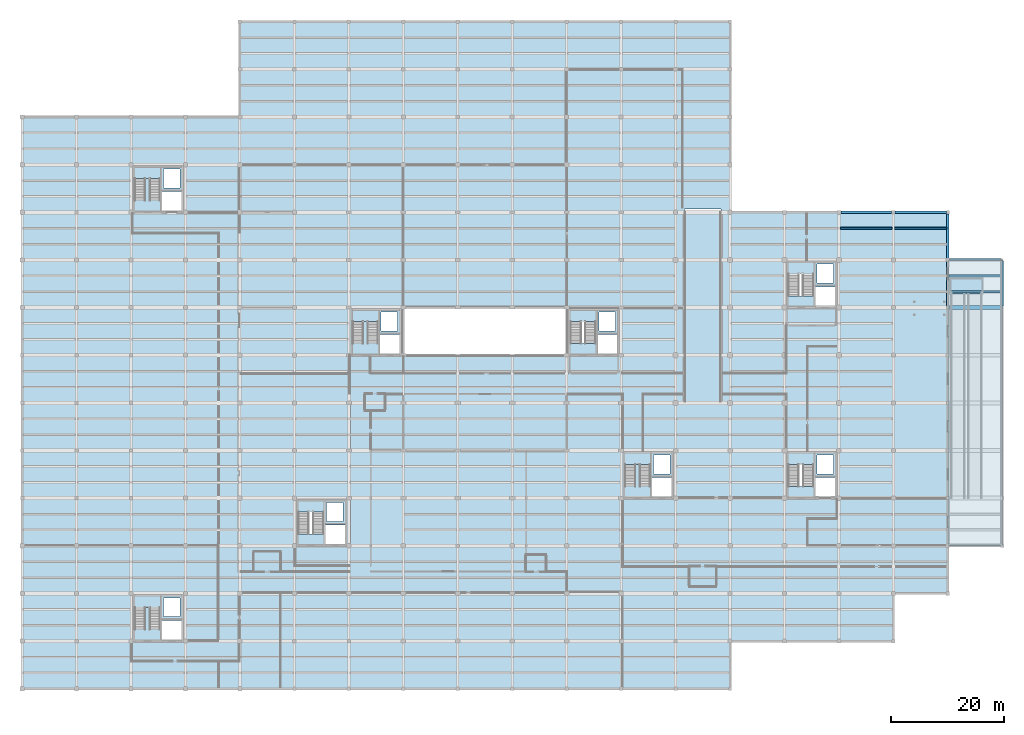
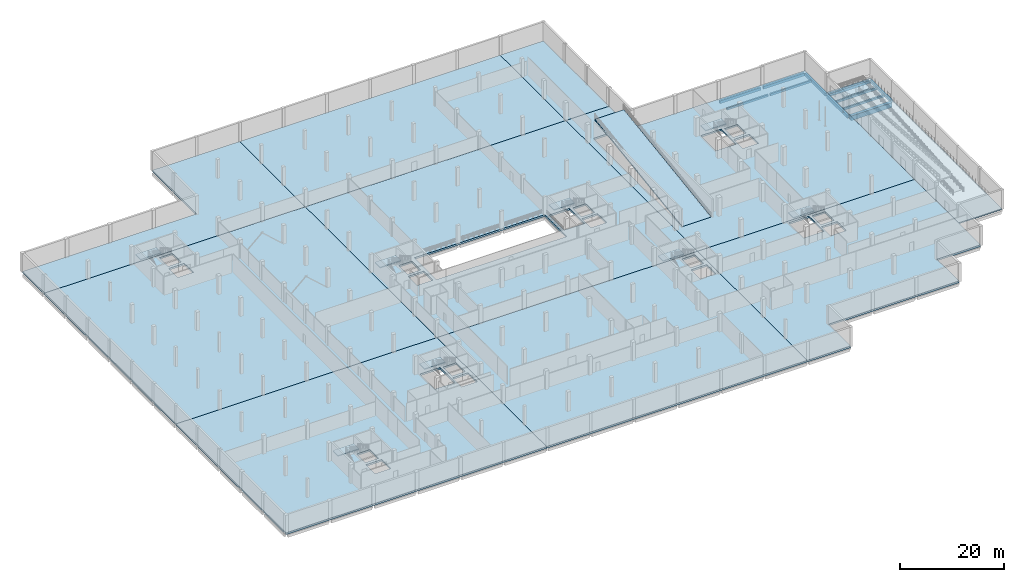
# One storey, part 13 of 30: 20 slabs, 11 beams, 9 elements without a shape of their own.
"""IFC4 building model written with IfcOpenShell, lengths in metres."""

from ifc_helpers import new_model, si_unit, direction, frame, origin, origin_2d, place, context, subcontext, project, spatial, polyline, rectangle, outline, extrude, material, layer, layer_set, material_profile, profile_set, type_object, element, aggregate, save


model = new_model("IFC4")

# Units and contexts
model_context = context("Model", 3, precision=1e-05, world=origin(), true_north=direction((0.0, 1.0)))
body_context = subcontext(model_context, "Body", "Model", "MODEL_VIEW")
ifc_project = project(units=[si_unit("LENGTHUNIT", "METRE"), si_unit("AREAUNIT", "SQUARE_METRE"), si_unit("VOLUMEUNIT", "CUBIC_METRE"), si_unit("PLANEANGLEUNIT", "RADIAN"), si_unit("MASSUNIT", "GRAM", prefix="KILO")], contexts=[model_context])

# Site, building, storey
site_placement = place(None, origin())
site = spatial("IfcSite", under=ifc_project, at=site_placement, CompositionType="ELEMENT")
building_placement = place(site_placement, origin())
building = spatial("IfcBuilding", under=site, at=building_placement, Name="Lornevale Opera House", CompositionType="ELEMENT")
storey_placement = place(building_placement, frame((0.0, 0.0, -4.800048828125)))
storey = spatial("IfcBuildingStorey", under=building, at=storey_placement, Name="B1", CompositionType="ELEMENT", Elevation=-4.800048828125)

# Beams
ifc_material_1 = material(Name="Concrete 35 MPa (CSA A23.1 N)", Category="concrete")
ifc_material_profile_1 = material_profile(ifc_material_1, rectangle(XDim=0.449951171875, YDim=0.75, at=origin_2d()), Name="RC450x750")
ifc_profile_set_1 = profile_set([ifc_material_profile_1], Name="Concrete 35 MPa (CSA A23.1 N)")
beam_type_1 = type_object("IfcBeamType", Name="Concrete Floor Beam 450x750", PredefinedType="USERDEFINED", material=ifc_profile_set_1)
beam_1_placement = place(storey_placement, frame((163.199951171875, 67.47509765625, -0.794921875), z_axis=(0.0, 1.0, 0.0), x_axis=(-1.0, 0.0, 0.0)))
element("IfcBeam", 1, at=beam_1_placement, inside=storey, type_object=beam_type_1, Name="Concrete Floor Beam 450x750 0453", ObjectType="GIRDER", PredefinedType="USERDEFINED", context=body_context, shape_type="SweptSolid", body=[
    extrude(rectangle(XDim=0.449951171875, YDim=0.75, at=origin_2d()), origin(), (0.0, 0.0, 1.0), 7.849853515625),
])
ifc_material_2 = material(Name="Concrete 40 MPa (CSA A23.1 C-1)", Category="concrete")
ifc_material_profile_2 = material_profile(ifc_material_2, rectangle(XDim=0.699951171875, YDim=1.10009765625, at=origin_2d()), Name="RC700x1100")
ifc_profile_set_2 = profile_set([ifc_material_profile_2], Name="Concrete 40 MPa (CSA A23.1 C-1)")
beam_type_2 = type_object("IfcBeamType", Name="Concrete Primary Girder 700x1100", PredefinedType="USERDEFINED", material=ifc_profile_set_2)
beam_2_placement = place(storey_placement, frame((163.47509765625, 67.199951171875, -0.969970703125), z_axis=(1.0, 0.0, 0.0), x_axis=(0.0, 1.0, 0.0)))
element("IfcBeam", 2, at=beam_2_placement, inside=storey, type_object=beam_type_2, Name="Concrete Primary Girder 700x1100 0154", ObjectType="GIRDER", PredefinedType="USERDEFINED", context=body_context, shape_type="SweptSolid", body=[
    extrude(rectangle(XDim=0.699951171875, YDim=1.10009765625, at=origin_2d()), origin(), (0.0, 0.0, 1.0), 9.074951171875),
])
ifc_material_profile_3 = material_profile(ifc_material_1, rectangle(XDim=0.35009765625, YDim=0.5, at=origin_2d()), Name="RC350x500")
ifc_profile_set_3 = profile_set([ifc_material_profile_3], Name="Concrete 35 MPa (CSA A23.1 N)")
beam_type_3 = type_object("IfcBeamType", Name="Concrete Secondary Rib 350x500", PredefinedType="JOIST", material=ifc_profile_set_3)
beam_3_placement = place(storey_placement, frame((144.25, 81.199951171875, -0.669921875), z_axis=(1.0, 0.0, 0.0), x_axis=(0.0, 1.0, 0.0)))
element("IfcBeam", 3, at=beam_3_placement, inside=storey, type_object=beam_type_3, Name="Concrete Secondary Rib 350x500 0830", PredefinedType="JOIST", context=body_context, shape_type="SweptSolid", body=[
    extrude(rectangle(XDim=0.35009765625, YDim=0.5, at=origin_2d()), origin(), (0.0, 0.0, 1.0), 9.125),
])
beam_4_placement = place(storey_placement, frame((153.824951171875, 81.199951171875, -0.669921875), z_axis=(1.0, 0.0, 0.0), x_axis=(0.0, 1.0, 0.0)))
element("IfcBeam", 4, at=beam_4_placement, inside=storey, type_object=beam_type_3, Name="Concrete Secondary Rib 350x500 0838", PredefinedType="JOIST", context=body_context, shape_type="SweptSolid", body=[
    extrude(rectangle(XDim=0.35009765625, YDim=0.5, at=origin_2d()), origin(), (0.0, 0.0, 1.0), 9.150146484375),
])
for number, where, z_axis, x_axis, name in (
    (5, (163.425048828125, 70.0, -0.669921875), (1.0, 0.0, 0.0), (0.0, 1.0, 0.0), "Concrete Secondary Rib 350x500 0841"),
    (6, (163.425048828125, 72.800048828125, -0.669921875), (1.0, 0.0, 0.0), (0.0, 1.0, 0.0), "Concrete Secondary Rib 350x500 0842"),
):
    element("IfcBeam", number, at=place(storey_placement, frame(where, z_axis=z_axis, x_axis=x_axis)), inside=storey, type_object=beam_type_3, Name=name, PredefinedType="JOIST", context=body_context, shape_type="SweptSolid", body=[
        extrude(rectangle(XDim=0.35009765625, YDim=0.5, at=origin_2d()), origin(), (0.0, 0.0, 1.0), 9.14990234375),
    ])
ifc_material_profile_4 = material_profile(ifc_material_1, rectangle(XDim=0.449951171875, YDim=0.64990234375, at=origin_2d()), Name="RC450x650")
ifc_profile_set_4 = profile_set([ifc_material_profile_4], Name="Concrete 35 MPa (CSA A23.1 N)")
beam_type_4 = type_object("IfcBeamType", Name="Concrete Spandrel Beam 450x650", PredefinedType="SPANDREL", material=ifc_profile_set_4)
beam_5_placement = place(storey_placement, frame((163.47509765625, 75.60009765625, -0.744873046875), z_axis=(1.0, 0.0, 0.0), x_axis=(0.0, 1.0, 0.0)))
element("IfcBeam", 7, at=beam_5_placement, inside=storey, type_object=beam_type_4, Name="Concrete Spandrel Beam 450x650 0172", PredefinedType="SPANDREL", context=body_context, shape_type="SweptSolid", body=[
    extrude(rectangle(XDim=0.449951171875, YDim=0.64990234375, at=origin_2d()), origin(), (0.0, 0.0, 1.0), 9.099853515625),
])
beam_6_placement = place(storey_placement, frame((144.324951171875, 84.0, -0.744873046875), z_axis=(1.0, 0.0, 0.0), x_axis=(0.0, 1.0, 0.0)))
element("IfcBeam", 8, at=beam_6_placement, inside=storey, type_object=beam_type_4, Name="Concrete Spandrel Beam 450x650 0188", PredefinedType="SPANDREL", context=body_context, shape_type="SweptSolid", body=[
    extrude(rectangle(XDim=0.449951171875, YDim=0.64990234375, at=origin_2d()), origin(), (0.0, 0.0, 1.0), 8.97509765625),
])
beam_7_placement = place(storey_placement, frame((153.89990234375, 84.0, -0.744873046875), z_axis=(1.0, 0.0, 0.0), x_axis=(0.0, 1.0, 0.0)))
element("IfcBeam", 9, at=beam_7_placement, inside=storey, type_object=beam_type_4, Name="Concrete Spandrel Beam 450x650 0189", PredefinedType="SPANDREL", context=body_context, shape_type="SweptSolid", body=[
    extrude(rectangle(XDim=0.449951171875, YDim=0.64990234375, at=origin_2d()), origin(), (0.0, 0.0, 1.0), 9.025146484375),
])
beam_8_placement = place(storey_placement, frame((163.199951171875, 75.875, -0.744873046875), z_axis=(0.0, 1.0, 0.0), x_axis=(-1.0, 0.0, 0.0)))
element("IfcBeam", 10, at=beam_8_placement, inside=storey, type_object=beam_type_4, Name="Concrete Spandrel Beam 450x650 0454", PredefinedType="SPANDREL", context=body_context, shape_type="SweptSolid", body=[
    extrude(rectangle(XDim=0.449951171875, YDim=0.64990234375, at=origin_2d()), origin(), (0.0, 0.0, 1.0), 7.85009765625),
])
beam_9_placement = place(storey_placement, frame((172.800048828125, 67.449951171875, -0.574951171875), z_axis=(0.0, 1.0, 0.0), x_axis=(-1.0, 0.0, 0.0)))
element("IfcBeam", 11, at=beam_9_placement, inside=storey, type_object=beam_type_4, Name="Concrete Spandrel Beam 450x650 0460", PredefinedType="SPANDREL", context=body_context, shape_type="SweptSolid", body=[
    extrude(rectangle(XDim=0.449951171875, YDim=0.64990234375, at=origin_2d()), origin(), (0.0, 0.0, 1.0), 7.925048828125),
])

# Slabs
ifc_layer_1 = layer(ifc_material_2, 0.25)
ifc_layer_set_1 = layer_set([ifc_layer_1], Name="Concrete 40 MPa (CSA A23.1 C-1)")
slab_type_1 = type_object("IfcSlabType", Name="Escarpment Terrace Deck Slab 250", PredefinedType="USERDEFINED", material=ifc_layer_set_1)
slab_1_placement = place(storey_placement, frame((0.0, 0.0, -0.25)))
element("IfcSlab", 12, at=slab_1_placement, inside=storey, type_object=slab_type_1, Name="Escarpment Terrace Deck Slab 250 SL-019", ObjectType="TERRACE", PredefinedType="USERDEFINED", context=body_context, shape_type="SweptSolid", body=[
    extrude(outline(polyline([(163.199951171875, 25.199951171875), (163.199951171875, 33.60009765625), (163.199951171875, 42.0), (163.199951171875, 50.39990234375), (163.199951171875, 58.800048828125), (163.199951171875, 67.199951171875), (163.199951171875, 75.60009765625), (172.800048828125, 75.60009765625), (172.800048828125, 67.199951171875), (172.800048828125, 58.800048828125), (172.800048828125, 50.39990234375), (172.800048828125, 42.0), (172.800048828125, 33.60009765625), (172.800048828125, 25.199951171875), (163.199951171875, 25.199951171875)])), origin(), (0.0, 0.0, 1.0), 0.25),
])
ifc_layer_2 = layer(ifc_material_2, 0.419921875)
ifc_layer_set_2 = layer_set([ifc_layer_2], Name="Concrete 40 MPa (CSA A23.1 C-1)")
slab_type_2 = type_object("IfcSlabType", Name="Lower Concourse Structural Slab 420", PredefinedType="FLOOR", material=ifc_layer_set_2)
slab_2_placement = place(storey_placement, frame((0.0, 0.0, -0.419921875)))
element("IfcSlab", 13, at=slab_2_placement, inside=storey, type_object=slab_type_2, Name="Lower Concourse Structural Slab 420 SL-010", PredefinedType="FLOOR", context=body_context, shape_type="SweptSolid", body=[
    extrude(outline(polyline([(0.0, 25.199951171875), (0.0, 33.60009765625), (0.0, 42.0), (9.60009765625, 42.0), (19.199951171875, 42.0), (28.800048828125, 42.0), (38.39990234375, 42.0), (48.0, 42.0), (57.60009765625, 42.0), (57.60009765625, 33.60009765625), (57.60009765625, 25.199951171875), (57.60009765625, 16.800048828125), (57.60009765625, 8.39990234375), (57.60009765625, 0.0), (48.0, 0.0), (38.39990234375, 0.0), (28.800048828125, 0.0), (19.199951171875, 0.0), (9.60009765625, 0.0), (0.0, 0.0), (0.0, 8.39990234375), (0.0, 16.800048828125), (0.0, 25.199951171875)]), holes=[polyline([(53.4599609375, 25.3798828125), (56.919921875, 25.3798828125), (56.919921875, 28.840087890625), (53.4599609375, 28.840087890625), (53.4599609375, 25.3798828125)]), polyline([(48.659912109375, 27.280029296875), (53.139892578125, 27.280029296875), (53.139892578125, 33.080078125), (48.659912109375, 33.080078125), (48.659912109375, 27.280029296875)]), polyline([(24.659912109375, 8.580078125), (28.1201171875, 8.580078125), (28.1201171875, 12.0400390625), (24.659912109375, 12.0400390625), (24.659912109375, 8.580078125)]), polyline([(53.699951171875, 29.5), (56.60009765625, 29.5), (56.60009765625, 32.840087890625), (53.699951171875, 32.840087890625), (53.699951171875, 29.5)]), polyline([(24.89990234375, 12.699951171875), (27.800048828125, 12.699951171875), (27.800048828125, 16.0400390625), (24.89990234375, 16.0400390625), (24.89990234375, 12.699951171875)])]), origin(), (0.0, 0.0, 1.0), 0.419921875),
])
slab_3_placement = place(storey_placement, frame((0.0, 0.0, -0.419921875)))
element("IfcSlab", 14, at=slab_3_placement, inside=storey, type_object=slab_type_2, Name="Lower Concourse Structural Slab 420 SL-011", PredefinedType="FLOOR", context=body_context, shape_type="SweptSolid", body=[
    extrude(outline(polyline([(57.60009765625, 25.199951171875), (57.60009765625, 33.60009765625), (57.60009765625, 42.0), (67.199951171875, 42.0), (76.800048828125, 42.0), (86.39990234375, 42.0), (96.0, 42.0), (105.60009765625, 42.0), (115.199951171875, 42.0), (115.199951171875, 33.60009765625), (115.199951171875, 25.199951171875), (115.199951171875, 16.800048828125), (115.199951171875, 8.39990234375), (115.199951171875, 0.0), (105.60009765625, 0.0), (96.0, 0.0), (86.39990234375, 0.0), (76.800048828125, 0.0), (67.199951171875, 0.0), (57.60009765625, 0.0), (57.60009765625, 8.39990234375), (57.60009765625, 16.800048828125), (57.60009765625, 25.199951171875)]), holes=[polyline([(111.06005859375, 33.780029296875), (114.52001953125, 33.780029296875), (114.52001953125, 37.239990234375), (111.06005859375, 37.239990234375), (111.06005859375, 33.780029296875)]), polyline([(111.300048828125, 37.89990234375), (114.199951171875, 37.89990234375), (114.199951171875, 41.239990234375), (111.300048828125, 41.239990234375), (111.300048828125, 37.89990234375)])]), origin(), (0.0, 0.0, 1.0), 0.419921875),
])
slab_4_placement = place(storey_placement, frame((0.0, 0.0, -0.419921875)))
element("IfcSlab", 15, at=slab_4_placement, inside=storey, type_object=slab_type_2, Name="Lower Concourse Structural Slab 420 SL-012", PredefinedType="FLOOR", context=body_context, shape_type="SweptSolid", body=[
    extrude(outline(polyline([(115.199951171875, 16.800048828125), (115.199951171875, 25.199951171875), (115.199951171875, 33.60009765625), (115.199951171875, 42.0), (124.800048828125, 42.0), (134.39990234375, 42.0), (144.0, 42.0), (153.60009765625, 42.0), (163.199951171875, 42.0), (163.199951171875, 33.60009765625), (163.199951171875, 25.199951171875), (163.199951171875, 16.800048828125), (153.60009765625, 16.800048828125), (153.60009765625, 8.39990234375), (144.0, 8.39990234375), (134.39990234375, 8.39990234375), (124.800048828125, 8.39990234375), (124.800048828125, 0.0), (115.199951171875, 0.0), (115.199951171875, 8.39990234375), (115.199951171875, 16.800048828125)]), holes=[polyline([(139.860107421875, 33.780029296875), (143.320068359375, 33.780029296875), (143.320068359375, 37.239990234375), (139.860107421875, 37.239990234375), (139.860107421875, 33.780029296875)]), polyline([(135.06005859375, 35.679931640625), (139.5400390625, 35.679931640625), (139.5400390625, 41.47998046875), (135.06005859375, 41.47998046875), (135.06005859375, 35.679931640625)]), polyline([(140.10009765625, 37.89990234375), (143.0, 37.89990234375), (143.0, 41.239990234375), (140.10009765625, 41.239990234375), (140.10009765625, 37.89990234375)])]), origin(), (0.0, 0.0, 1.0), 0.419921875),
])
slab_5_placement = place(storey_placement, frame((0.0, 0.0, -0.419921875)))
element("IfcSlab", 16, at=slab_5_placement, inside=storey, type_object=slab_type_2, Name="Lower Concourse Structural Slab 420 SL-013", PredefinedType="FLOOR", context=body_context, shape_type="SweptSolid", body=[
    extrude(outline(polyline([(9.60009765625, 42.0), (0.0, 42.0), (0.0, 50.39990234375), (0.0, 58.800048828125), (0.0, 67.199951171875), (0.0, 75.60009765625), (0.0, 84.0), (0.0, 92.39990234375), (9.60009765625, 92.39990234375), (19.199951171875, 92.39990234375), (28.800048828125, 92.39990234375), (38.39990234375, 92.39990234375), (48.0, 92.39990234375), (57.60009765625, 92.39990234375), (57.60009765625, 84.0), (57.60009765625, 75.60009765625), (57.60009765625, 67.199951171875), (57.60009765625, 58.800048828125), (57.60009765625, 50.39990234375), (57.60009765625, 42.0), (48.0, 42.0), (38.39990234375, 42.0), (28.800048828125, 42.0), (19.199951171875, 42.0), (9.60009765625, 42.0)]), holes=[polyline([(24.659912109375, 84.179931640625), (28.1201171875, 84.179931640625), (28.1201171875, 87.639892578125), (24.659912109375, 87.639892578125), (24.659912109375, 84.179931640625)]), polyline([(24.89990234375, 88.300048828125), (27.800048828125, 88.300048828125), (27.800048828125, 91.639892578125), (24.89990234375, 91.639892578125), (24.89990234375, 88.300048828125)])]), origin(), (0.0, 0.0, 1.0), 0.419921875),
])
slab_6_placement = place(storey_placement, frame((0.0, 0.0, -0.419921875)))
element("IfcSlab", 17, at=slab_6_placement, inside=storey, type_object=slab_type_2, Name="Lower Concourse Structural Slab 420 SL-014", PredefinedType="FLOOR", context=body_context, shape_type="SweptSolid", body=[
    extrude(outline(polyline([(67.199951171875, 42.0), (57.60009765625, 42.0), (57.60009765625, 50.39990234375), (57.60009765625, 58.800048828125), (57.60009765625, 67.199951171875), (57.60009765625, 75.60009765625), (57.60009765625, 84.0), (57.60009765625, 92.39990234375), (67.199951171875, 92.39990234375), (76.800048828125, 92.39990234375), (86.39990234375, 92.39990234375), (96.0, 92.39990234375), (105.60009765625, 92.39990234375), (115.199951171875, 92.39990234375), (115.199951171875, 84.0), (115.199951171875, 75.60009765625), (115.199951171875, 67.199951171875), (115.199951171875, 58.800048828125), (115.199951171875, 50.39990234375), (115.199951171875, 42.0), (105.60009765625, 42.0), (96.0, 42.0), (86.39990234375, 42.0), (76.800048828125, 42.0), (67.199951171875, 42.0)]), holes=[polyline([(76.800048828125, 67.199951171875), (67.199951171875, 67.199951171875), (67.199951171875, 58.800048828125), (76.800048828125, 58.800048828125), (86.39990234375, 58.800048828125), (96.0, 58.800048828125), (96.0, 67.199951171875), (86.39990234375, 67.199951171875), (76.800048828125, 67.199951171875)]), polyline([(63.06005859375, 58.97998046875), (66.52001953125, 58.97998046875), (66.52001953125, 62.43994140625), (63.06005859375, 62.43994140625), (63.06005859375, 58.97998046875)]), polyline([(101.4599609375, 58.97998046875), (104.919921875, 58.97998046875), (104.919921875, 62.43994140625), (101.4599609375, 62.43994140625), (101.4599609375, 58.97998046875)]), polyline([(96.659912109375, 60.8798828125), (101.139892578125, 60.8798828125), (101.139892578125, 66.679931640625), (96.659912109375, 66.679931640625), (96.659912109375, 60.8798828125)]), polyline([(63.300048828125, 63.10009765625), (66.199951171875, 63.10009765625), (66.199951171875, 66.43994140625), (63.300048828125, 66.43994140625), (63.300048828125, 63.10009765625)]), polyline([(101.699951171875, 63.10009765625), (104.60009765625, 63.10009765625), (104.60009765625, 66.43994140625), (101.699951171875, 66.43994140625), (101.699951171875, 63.10009765625)])]), origin(), (0.0, 0.0, 1.0), 0.419921875),
])
slab_7_placement = place(storey_placement, frame((0.0, 0.0, -0.419921875)))
element("IfcSlab", 18, at=slab_7_placement, inside=storey, type_object=slab_type_2, Name="Lower Concourse Structural Slab 420 SL-015", PredefinedType="FLOOR", context=body_context, shape_type="SweptSolid", body=[
    extrude(outline(polyline([(115.199951171875, 67.199951171875), (115.199951171875, 75.60009765625), (115.199951171875, 84.0), (115.199951171875, 92.39990234375), (124.800048828125, 92.39990234375), (124.800048828125, 84.0), (134.39990234375, 84.0), (144.0, 84.0), (153.60009765625, 84.0), (163.199951171875, 84.0), (163.199951171875, 75.60009765625), (163.199951171875, 67.199951171875), (163.199951171875, 58.800048828125), (163.199951171875, 50.39990234375), (163.199951171875, 42.0), (153.60009765625, 42.0), (144.0, 42.0), (134.39990234375, 42.0), (124.800048828125, 42.0), (115.199951171875, 42.0), (115.199951171875, 50.39990234375), (115.199951171875, 58.800048828125), (115.199951171875, 67.199951171875)]), holes=[polyline([(139.860107421875, 67.3798828125), (143.320068359375, 67.3798828125), (143.320068359375, 70.840087890625), (139.860107421875, 70.840087890625), (139.860107421875, 67.3798828125)]), polyline([(135.06005859375, 69.280029296875), (139.5400390625, 69.280029296875), (139.5400390625, 75.080078125), (135.06005859375, 75.080078125), (135.06005859375, 69.280029296875)]), polyline([(116.800048828125, 50.6201171875), (123.199951171875, 50.6201171875), (123.199951171875, 84.580078125), (116.800048828125, 84.580078125), (116.800048828125, 50.6201171875)]), polyline([(140.10009765625, 71.5), (143.0, 71.5), (143.0, 74.840087890625), (140.10009765625, 74.840087890625), (140.10009765625, 71.5)])]), origin(), (0.0, 0.0, 1.0), 0.419921875),
])
slab_8_placement = place(storey_placement, frame((0.0, 0.0, -0.419921875)))
element("IfcSlab", 19, at=slab_8_placement, inside=storey, type_object=slab_type_2, Name="Lower Concourse Structural Slab 420 SL-016", PredefinedType="FLOOR", context=body_context, shape_type="SweptSolid", body=[
    extrude(outline(polyline([(9.60009765625, 100.800048828125), (19.199951171875, 100.800048828125), (28.800048828125, 100.800048828125), (38.39990234375, 100.800048828125), (38.39990234375, 109.199951171875), (38.39990234375, 117.60009765625), (48.0, 117.60009765625), (57.60009765625, 117.60009765625), (57.60009765625, 109.199951171875), (57.60009765625, 100.800048828125), (57.60009765625, 92.39990234375), (48.0, 92.39990234375), (38.39990234375, 92.39990234375), (28.800048828125, 92.39990234375), (19.199951171875, 92.39990234375), (9.60009765625, 92.39990234375), (0.0, 92.39990234375), (0.0, 100.800048828125), (9.60009765625, 100.800048828125)])), origin(), (0.0, 0.0, 1.0), 0.419921875),
])
slab_9_placement = place(storey_placement, frame((0.0, 0.0, -0.419921875)))
element("IfcSlab", 20, at=slab_9_placement, inside=storey, type_object=slab_type_2, Name="Lower Concourse Structural Slab 420 SL-017", PredefinedType="FLOOR", context=body_context, shape_type="SweptSolid", body=[
    extrude(outline(polyline([(57.60009765625, 117.60009765625), (67.199951171875, 117.60009765625), (76.800048828125, 117.60009765625), (86.39990234375, 117.60009765625), (96.0, 117.60009765625), (105.60009765625, 117.60009765625), (115.199951171875, 117.60009765625), (115.199951171875, 109.199951171875), (115.199951171875, 100.800048828125), (115.199951171875, 92.39990234375), (105.60009765625, 92.39990234375), (96.0, 92.39990234375), (86.39990234375, 92.39990234375), (76.800048828125, 92.39990234375), (67.199951171875, 92.39990234375), (57.60009765625, 92.39990234375), (57.60009765625, 100.800048828125), (57.60009765625, 109.199951171875), (57.60009765625, 117.60009765625)])), origin(), (0.0, 0.0, 1.0), 0.419921875),
])
slab_10_placement = place(storey_placement, frame((0.0, 0.0, -0.419921875)))
element("IfcSlab", 21, at=slab_10_placement, inside=storey, type_object=slab_type_2, Name="Lower Concourse Structural Slab 420 SL-018", PredefinedType="FLOOR", context=body_context, shape_type="SweptSolid", body=[
    extrude(outline(polyline([(124.800048828125, 92.39990234375), (115.199951171875, 92.39990234375), (115.199951171875, 100.800048828125), (115.199951171875, 109.199951171875), (115.199951171875, 117.60009765625), (124.800048828125, 117.60009765625), (124.800048828125, 109.199951171875), (124.800048828125, 100.800048828125), (124.800048828125, 92.39990234375)])), origin(), (0.0, 0.0, 1.0), 0.419921875),
])

# Ramp, slab
ramp_type = type_object("IfcRampType", Name="Accessible Escarpment Promenade Ramp", PredefinedType="TWO_STRAIGHT_RUN_RAMP", material=ifc_material_2)
ramp_placement = place(storey_placement, origin())
ramp = element("IfcRamp", 22, at=ramp_placement, inside=storey, type_object=ramp_type, Name="Escarpment Promenade Lower Flight", PredefinedType="TWO_STRAIGHT_RUN_RAMP")
ifc_layer_3 = layer(ifc_material_2, 0.25)
ifc_layer_set_3 = layer_set([ifc_layer_3], Name="Concrete 40 MPa (CSA A23.1 C-1)")
slab_type_3 = type_object("IfcSlabType", Name="Promenade Mid-Landing Slab 250", PredefinedType="LANDING", material=ifc_layer_set_3)
slab_11_placement = place(storey_placement, frame((0.0, 0.0, 2.150146484375)))
slab_11 = element("IfcSlab", 23, at=slab_11_placement, type_object=slab_type_3, Name="Escarpment Promenade Mid-Landing", PredefinedType="LANDING", context=body_context, shape_type="SweptSolid", body=[
    extrude(outline(polyline([(163.60009765625, 69.60009765625), (169.39990234375, 69.60009765625), (169.39990234375, 72.39990234375), (163.60009765625, 72.39990234375), (163.60009765625, 69.60009765625)])), origin(), (0.0, 0.0, 1.0), 0.25),
])
aggregate(ramp, [slab_11])

# Stair, slab
ifc_layer_4 = layer(ifc_material_1, 4.800048828125)
ifc_layer_set_4 = layer_set([ifc_layer_4], Name="Concrete 35 MPa (CSA A23.1 N)")
stair_type_1 = type_object("IfcStairType", Name="Protected Exit Stair 4800-W1840", PredefinedType="TWO_STRAIGHT_RUN_STAIR", material=ifc_layer_set_4)
stair_1_placement = place(storey_placement, origin())
stair_1 = element("IfcStair", 24, at=stair_1_placement, inside=storey, type_object=stair_type_1, Name="South-West Foyer Core Stair ST-02 (B1-L01)", PredefinedType="TWO_STRAIGHT_RUN_STAIR")
ifc_layer_5 = layer(ifc_material_1, 0.219970703125)
ifc_layer_set_5 = layer_set([ifc_layer_5], Name="Concrete 35 MPa (CSA A23.1 N)")
slab_type_4 = type_object("IfcSlabType", Name="Stair Half-Landing Slab 220", PredefinedType="LANDING", material=ifc_layer_set_5)
slab_12_placement = place(storey_placement, frame((0.0, 0.0, 2.179931640625)))
slab_12 = element("IfcSlab", 25, at=slab_12_placement, type_object=slab_type_4, Name="ST-02 Half-Landing SL-LND-002", PredefinedType="LANDING", context=body_context, shape_type="SweptSolid", body=[
    extrude(outline(polyline([(48.60009765625, 31.159912109375), (53.199951171875, 31.159912109375), (53.199951171875, 33.179931640625), (48.60009765625, 33.179931640625), (48.60009765625, 31.159912109375)])), origin(), (0.0, 0.0, 1.0), 0.22021484375),
])
aggregate(stair_1, [slab_12])

stair_2_placement = place(storey_placement, origin())
stair_2 = element("IfcStair", 26, at=stair_2_placement, inside=storey, type_object=stair_type_1, Name="South-East Foyer Core Stair ST-05 (B1-L01)", PredefinedType="TWO_STRAIGHT_RUN_STAIR")
slab_13_placement = place(storey_placement, frame((0.0, 0.0, 2.179931640625)))
slab_13 = element("IfcSlab", 27, at=slab_13_placement, type_object=slab_type_4, Name="ST-05 Half-Landing SL-LND-005", PredefinedType="LANDING", context=body_context, shape_type="SweptSolid", body=[
    extrude(outline(polyline([(106.199951171875, 39.56005859375), (110.800048828125, 39.56005859375), (110.800048828125, 41.580078125), (106.199951171875, 41.580078125), (106.199951171875, 39.56005859375)])), origin(), (0.0, 0.0, 1.0), 0.22021484375),
])
aggregate(stair_2, [slab_13])

stair_3_placement = place(storey_placement, origin())
stair_3 = element("IfcStair", 28, at=stair_3_placement, inside=storey, type_object=stair_type_1, Name="Chamber Pavilion Core Stair ST-09 (B1-L01)", PredefinedType="TWO_STRAIGHT_RUN_STAIR")
slab_14_placement = place(storey_placement, frame((0.0, 0.0, 2.179931640625)))
slab_14 = element("IfcSlab", 29, at=slab_14_placement, type_object=slab_type_4, Name="ST-09 Half-Landing SL-LND-009", PredefinedType="LANDING", context=body_context, shape_type="SweptSolid", body=[
    extrude(outline(polyline([(19.800048828125, 14.360107421875), (24.39990234375, 14.360107421875), (24.39990234375, 16.3798828125), (19.800048828125, 16.3798828125), (19.800048828125, 14.360107421875)])), origin(), (0.0, 0.0, 1.0), 0.22021484375),
])
aggregate(stair_3, [slab_14])

stair_4_placement = place(storey_placement, origin())
stair_4 = element("IfcStair", 30, at=stair_4_placement, inside=storey, type_object=stair_type_1, Name="North-West Workshop Core Stair ST-12 (B1-L01)", PredefinedType="TWO_STRAIGHT_RUN_STAIR")
slab_15_placement = place(storey_placement, frame((0.0, 0.0, 2.179931640625)))
slab_15 = element("IfcSlab", 31, at=slab_15_placement, type_object=slab_type_4, Name="ST-12 Half-Landing SL-LND-012", PredefinedType="LANDING", context=body_context, shape_type="SweptSolid", body=[
    extrude(outline(polyline([(19.800048828125, 89.9599609375), (24.39990234375, 89.9599609375), (24.39990234375, 91.97998046875), (19.800048828125, 91.97998046875), (19.800048828125, 89.9599609375)])), origin(), (0.0, 0.0, 1.0), 0.22021484375),
])
aggregate(stair_4, [slab_15])

stair_5_placement = place(storey_placement, origin())
stair_5 = element("IfcStair", 32, at=stair_5_placement, inside=storey, type_object=stair_type_1, Name="Auditorium West Tier Core Stair ST-15 (B1-L01)", PredefinedType="TWO_STRAIGHT_RUN_STAIR")
slab_16_placement = place(storey_placement, frame((0.0, 0.0, 2.179931640625)))
slab_16 = element("IfcSlab", 33, at=slab_16_placement, type_object=slab_type_4, Name="ST-15 Half-Landing SL-LND-015", PredefinedType="LANDING", context=body_context, shape_type="SweptSolid", body=[
    extrude(outline(polyline([(58.199951171875, 64.760009765625), (62.800048828125, 64.760009765625), (62.800048828125, 66.780029296875), (58.199951171875, 66.780029296875), (58.199951171875, 64.760009765625)])), origin(), (0.0, 0.0, 1.0), 0.22021484375),
])
aggregate(stair_5, [slab_16])

ifc_layer_6 = layer(ifc_material_1, 4.800048828125)
ifc_layer_set_6 = layer_set([ifc_layer_6], Name="Concrete 35 MPa (CSA A23.1 N)")
stair_type_2 = type_object("IfcStairType", Name="Firefighter Core Stair 4800-W1880", PredefinedType="TWO_STRAIGHT_RUN_STAIR", material=ifc_layer_set_6)
stair_6_placement = place(storey_placement, origin())
stair_6 = element("IfcStair", 34, at=stair_6_placement, inside=storey, type_object=stair_type_2, Name="Stagehouse Firefighter Core West Stair ST-21 (B1-L01)", PredefinedType="TWO_STRAIGHT_RUN_STAIR")
slab_17_placement = place(storey_placement, frame((0.0, 0.0, 2.179931640625)))
slab_17 = element("IfcSlab", 35, at=slab_17_placement, type_object=slab_type_4, Name="ST-21 Half-Landing SL-LND-021", PredefinedType="LANDING", context=body_context, shape_type="SweptSolid", body=[
    extrude(outline(polyline([(96.60009765625, 64.760009765625), (101.199951171875, 64.760009765625), (101.199951171875, 66.780029296875), (96.60009765625, 66.780029296875), (96.60009765625, 64.760009765625)])), origin(), (0.0, 0.0, 1.0), 0.22021484375),
])
aggregate(stair_6, [slab_17])

stair_7_placement = place(storey_placement, origin())
stair_7 = element("IfcStair", 36, at=stair_7_placement, inside=storey, type_object=stair_type_2, Name="Backstage Firefighter Core East Stair ST-29 (B1-L01)", PredefinedType="TWO_STRAIGHT_RUN_STAIR")
slab_18_placement = place(storey_placement, frame((0.0, 0.0, 2.179931640625)))
slab_18 = element("IfcSlab", 37, at=slab_18_placement, type_object=slab_type_4, Name="ST-29 Half-Landing SL-LND-029", PredefinedType="LANDING", context=body_context, shape_type="SweptSolid", body=[
    extrude(outline(polyline([(135.0, 73.159912109375), (139.60009765625, 73.159912109375), (139.60009765625, 75.179931640625), (135.0, 75.179931640625), (135.0, 73.159912109375)])), origin(), (0.0, 0.0, 1.0), 0.22021484375),
])
aggregate(stair_7, [slab_18])

stair_8_placement = place(storey_placement, origin())
stair_8 = element("IfcStair", 38, at=stair_8_placement, inside=storey, type_object=stair_type_1, Name="Backstage Service Lift Core Stair ST-36 (B1-L01)", PredefinedType="TWO_STRAIGHT_RUN_STAIR")
slab_19_placement = place(storey_placement, frame((0.0, 0.0, 2.179931640625)))
slab_19 = element("IfcSlab", 39, at=slab_19_placement, type_object=slab_type_4, Name="ST-36 Half-Landing SL-LND-036", PredefinedType="LANDING", context=body_context, shape_type="SweptSolid", body=[
    extrude(outline(polyline([(135.0, 39.56005859375), (139.60009765625, 39.56005859375), (139.60009765625, 41.580078125), (135.0, 41.580078125), (135.0, 39.56005859375)])), origin(), (0.0, 0.0, 1.0), 0.22021484375),
])
aggregate(stair_8, [slab_19])

# Slab
ifc_layer_7 = layer(ifc_material_2, 0.300048828125)
ifc_layer_set_7 = layer_set([ifc_layer_7], Name="Concrete 40 MPa (CSA A23.1 C-1)")
slab_type_5 = type_object("IfcSlabType", Name="Vehicular Ramp Slab 300", PredefinedType="FLOOR", material=ifc_layer_set_7)
slab_20_placement = place(storey_placement, frame((123.199951171875, 50.580078125, 0.0), z_axis=(0.0, -0.142002747909, 0.989866263485), x_axis=(-1.0, 0.0, 0.0)))
element("IfcSlab", 40, at=slab_20_placement, inside=storey, type_object=slab_type_5, Name="Vehicle Parking Ramp B1 to L01 Slab", PredefinedType="FLOOR", context=body_context, shape_type="SweptSolid", body=[
    extrude(outline(polyline([(0.0, 0.0), (6.39990234375, 0.0), (6.39990234375, -33.80250663325739), (0.0, -33.80250663325739), (0.0, 0.0)])), origin(), (0.0, 0.0, -1.0), 0.300048828125),
])

save(model, "model.ifc")
